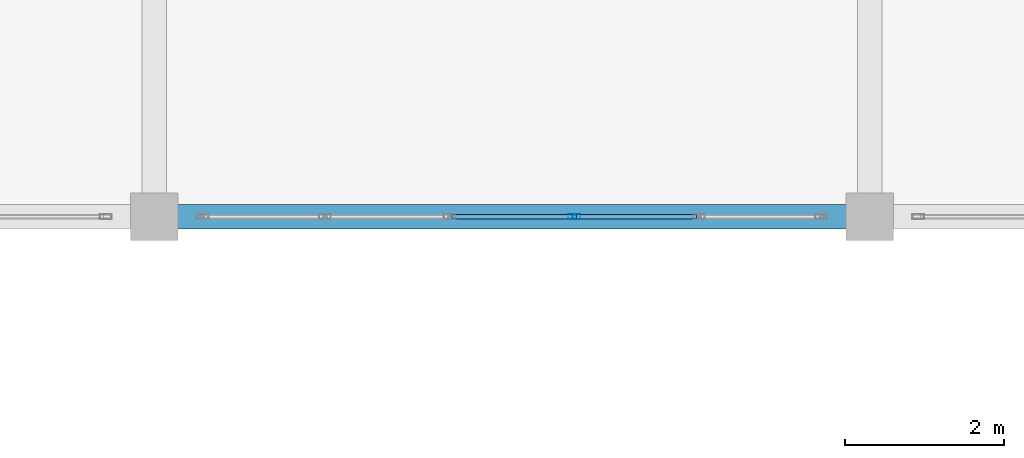
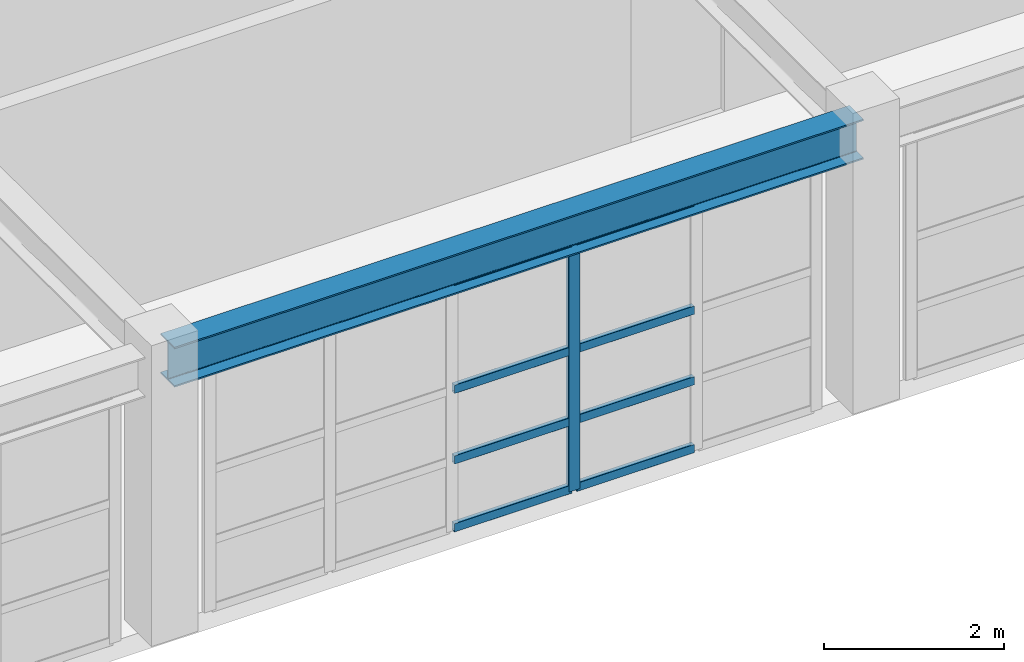
# One storey, part 45 of 130: 9 members, 1 beam, 1 element without a shape of its own.
"""IFC4 building model written with IfcOpenShell, lengths in metres."""

from ifc_helpers import new_model, si_unit, direction, frame, origin, origin_2d, place, context, subcontext, project, spatial, hollow_rectangle, i_section, extrude, material, material_profile, profile_set, type_object, element, aggregate, save


model = new_model("IFC4")

# Units and contexts
model_context = context("Model", 3, precision=1e-05, world=origin(), true_north=direction((0.0, 1.0)))
body_context = subcontext(model_context, "Body", "Model", "MODEL_VIEW")
ifc_project = project(units=[si_unit("LENGTHUNIT", "METRE"), si_unit("AREAUNIT", "SQUARE_METRE"), si_unit("VOLUMEUNIT", "CUBIC_METRE"), si_unit("PLANEANGLEUNIT", "RADIAN"), si_unit("MASSUNIT", "GRAM", prefix="KILO")], contexts=[model_context])

# Site, building, storey
site_placement = place(None, origin())
site = spatial("IfcSite", under=ifc_project, at=site_placement, CompositionType="ELEMENT")
building_placement = place(site_placement, origin())
building = spatial("IfcBuilding", under=site, at=building_placement, Name="Miravela Opera House", CompositionType="ELEMENT")
storey_placement = place(building_placement, frame((0.0, 0.0, 9.52001953125)))
storey = spatial("IfcBuildingStorey", under=building, at=storey_placement, Name="L02", CompositionType="ELEMENT", Elevation=9.52001953125)

# Curtain wall, members
ifc_material_1 = material(Name="Anodised architectural bronze aluminium 6063-T6", Category="aluminium")
curtain_wall_type = type_object("IfcCurtainWallType", Name="ARC-CW-06", PredefinedType="NOTDEFINED", material=ifc_material_1)
curtain_wall_placement = place(storey_placement, origin())
curtain_wall = element("IfcCurtainWall", 1, at=curtain_wall_placement, inside=storey, type_object=curtain_wall_type, Name="Courtyard Arcade Curtain Wall CW-L02-186", PredefinedType="NOTDEFINED")
ifc_material_profile_1 = material_profile(ifc_material_1, hollow_rectangle(XDim=0.06005859375, YDim=0.14990234375, WallThickness=0.00390625, InnerFilletRadius=0.001953125, OuterFilletRadius=0.00390625, at=origin_2d()), Name="CWM-60X150")
ifc_profile_set_1 = profile_set([ifc_material_profile_1])
member_type_1 = type_object("IfcMemberType", Name="ARC-CWM-150", PredefinedType="MULLION", material=ifc_profile_set_1)
member_1_placement = place(storey_placement, frame((131.283935546875, 28.0, 0.0), z_axis=(0.0, 0.0, 1.0), x_axis=(0.0, 1.0, 0.0)))
member_1 = element("IfcMember", 2, at=member_1_placement, type_object=member_type_1, Name="CW-06 mullion 4", PredefinedType="MULLION", context=body_context, shape_type="SweptSolid", body=[
    extrude(hollow_rectangle(XDim=0.06005859375, YDim=0.14990234375, WallThickness=0.00390625, InnerFilletRadius=0.001953125, OuterFilletRadius=0.00390625, at=origin_2d()), origin(), (0.0, 0.0, 1.0), 3.2900390625),
])
ifc_material_profile_2 = material_profile(ifc_material_1, hollow_rectangle(XDim=0.06005859375, YDim=0.114990234375, WallThickness=0.00390625, InnerFilletRadius=0.001953125, OuterFilletRadius=0.00390625, at=origin_2d()), Name="CWT-60X115")
ifc_profile_set_2 = profile_set([ifc_material_profile_2])
member_type_2 = type_object("IfcMemberType", Name="ARC-CWT-115", PredefinedType="USERDEFINED", material=ifc_profile_set_2)
member_2_placement = place(storey_placement, frame((129.74609375, 28.0, 0.030029296875), z_axis=(1.0, 0.0, 0.0), x_axis=(0.0, 1.0, 0.0)))
member_2 = element("IfcMember", 3, at=member_2_placement, type_object=member_type_2, Name="CW-06 transom 3.1", ObjectType="TRANSOM", PredefinedType="USERDEFINED", context=body_context, shape_type="SweptSolid", body=[
    extrude(hollow_rectangle(XDim=0.06005859375, YDim=0.114990234375, WallThickness=0.00390625, InnerFilletRadius=0.001953125, OuterFilletRadius=0.00390625, at=origin_2d()), origin(), (0.0, 0.0, 1.0), 1.5078125),
])
member_3_placement = place(storey_placement, frame((129.74609375, 28.0, 0.949951171875), z_axis=(1.0, 0.0, 0.0), x_axis=(0.0, 1.0, 0.0)))
member_3 = element("IfcMember", 4, at=member_3_placement, type_object=member_type_2, Name="CW-06 transom 3.2", ObjectType="TRANSOM", PredefinedType="USERDEFINED", context=body_context, shape_type="SweptSolid", body=[
    extrude(hollow_rectangle(XDim=0.06005859375, YDim=0.114990234375, WallThickness=0.00390625, InnerFilletRadius=0.001953125, OuterFilletRadius=0.00390625, at=origin_2d()), origin(), (0.0, 0.0, 1.0), 1.5078125),
])
member_4_placement = place(storey_placement, frame((129.74609375, 28.0, 1.908203125), z_axis=(1.0, 0.0, 0.0), x_axis=(0.0, 1.0, 0.0)))
member_4 = element("IfcMember", 5, at=member_4_placement, type_object=member_type_2, Name="CW-06 transom 3.3", ObjectType="TRANSOM", PredefinedType="USERDEFINED", context=body_context, shape_type="SweptSolid", body=[
    extrude(hollow_rectangle(XDim=0.06005859375, YDim=0.114990234375, WallThickness=0.00390625, InnerFilletRadius=0.001953125, OuterFilletRadius=0.00390625, at=origin_2d()), origin(), (0.0, 0.0, 1.0), 1.5078125),
])
member_5_placement = place(storey_placement, frame((129.74609375, 28.0, 3.260009765625), z_axis=(1.0, 0.0, 0.0), x_axis=(0.0, 1.0, 0.0)))
member_5 = element("IfcMember", 6, at=member_5_placement, type_object=member_type_2, Name="CW-06 transom 3.4", ObjectType="TRANSOM", PredefinedType="USERDEFINED", context=body_context, shape_type="SweptSolid", body=[
    extrude(hollow_rectangle(XDim=0.06005859375, YDim=0.114990234375, WallThickness=0.00390625, InnerFilletRadius=0.001953125, OuterFilletRadius=0.00390625, at=origin_2d()), origin(), (0.0, 0.0, 1.0), 1.5078125),
])
member_6_placement = place(storey_placement, frame((131.31396484375, 28.0, 0.030029296875), z_axis=(1.0, 0.0, 0.0), x_axis=(0.0, 1.0, 0.0)))
member_6 = element("IfcMember", 7, at=member_6_placement, type_object=member_type_2, Name="CW-06 transom 4.1", ObjectType="TRANSOM", PredefinedType="USERDEFINED", context=body_context, shape_type="SweptSolid", body=[
    extrude(hollow_rectangle(XDim=0.06005859375, YDim=0.114990234375, WallThickness=0.00390625, InnerFilletRadius=0.001953125, OuterFilletRadius=0.00390625, at=origin_2d()), origin(), (0.0, 0.0, 1.0), 1.508056640625),
])
member_7_placement = place(storey_placement, frame((131.31396484375, 28.0, 0.949951171875), z_axis=(1.0, 0.0, 0.0), x_axis=(0.0, 1.0, 0.0)))
member_7 = element("IfcMember", 8, at=member_7_placement, type_object=member_type_2, Name="CW-06 transom 4.2", ObjectType="TRANSOM", PredefinedType="USERDEFINED", context=body_context, shape_type="SweptSolid", body=[
    extrude(hollow_rectangle(XDim=0.06005859375, YDim=0.114990234375, WallThickness=0.00390625, InnerFilletRadius=0.001953125, OuterFilletRadius=0.00390625, at=origin_2d()), origin(), (0.0, 0.0, 1.0), 1.508056640625),
])
member_8_placement = place(storey_placement, frame((131.31396484375, 28.0, 1.908203125), z_axis=(1.0, 0.0, 0.0), x_axis=(0.0, 1.0, 0.0)))
member_8 = element("IfcMember", 9, at=member_8_placement, type_object=member_type_2, Name="CW-06 transom 4.3", ObjectType="TRANSOM", PredefinedType="USERDEFINED", context=body_context, shape_type="SweptSolid", body=[
    extrude(hollow_rectangle(XDim=0.06005859375, YDim=0.114990234375, WallThickness=0.00390625, InnerFilletRadius=0.001953125, OuterFilletRadius=0.00390625, at=origin_2d()), origin(), (0.0, 0.0, 1.0), 1.508056640625),
])
member_9_placement = place(storey_placement, frame((131.31396484375, 28.0, 3.260009765625), z_axis=(1.0, 0.0, 0.0), x_axis=(0.0, 1.0, 0.0)))
member_9 = element("IfcMember", 10, at=member_9_placement, type_object=member_type_2, Name="CW-06 transom 4.4", ObjectType="TRANSOM", PredefinedType="USERDEFINED", context=body_context, shape_type="SweptSolid", body=[
    extrude(hollow_rectangle(XDim=0.06005859375, YDim=0.114990234375, WallThickness=0.00390625, InnerFilletRadius=0.001953125, OuterFilletRadius=0.00390625, at=origin_2d()), origin(), (0.0, 0.0, 1.0), 1.508056640625),
])
aggregate(curtain_wall, [member_1, member_2, member_3, member_4, member_5, member_6, member_7, member_8, member_9])

# Beam
ifc_material_2 = material(Name="Structural steel ASTM A992 Gr. 50", Category="steel")
ifc_material_profile_3 = material_profile(ifc_material_2, i_section(OverallWidth=0.31201171875, OverallDepth=0.54296875, WebThickness=0.0126953125, FlangeThickness=0.020263671875, FilletRadius=0.01611328125, at=origin_2d()), Name="W530X150")
ifc_profile_set_3 = profile_set([ifc_material_profile_3])
beam_type = type_object("IfcBeamType", Name="STR-BM-W530X150", PredefinedType="BEAM", material=ifc_profile_set_3)
beam_placement = place(storey_placement, frame((126.080078125, 28.0, 3.568359375), z_axis=(1.0, 0.0, 0.0), x_axis=(0.0, 1.0, 0.0)))
element("IfcBeam", 11, at=beam_placement, inside=storey, type_object=beam_type, Name="Roof Eave Girder ROOF-V4-NE S2", PredefinedType="BEAM", context=body_context, shape_type="SweptSolid", body=[
    extrude(i_section(OverallWidth=0.31201171875, OverallDepth=0.54296875, WebThickness=0.0126953125, FlangeThickness=0.020263671875, FilletRadius=0.01611328125, at=origin_2d()), origin(), (0.0, 0.0, 1.0), 8.83984375),
])

save(model, "model.ifc")
